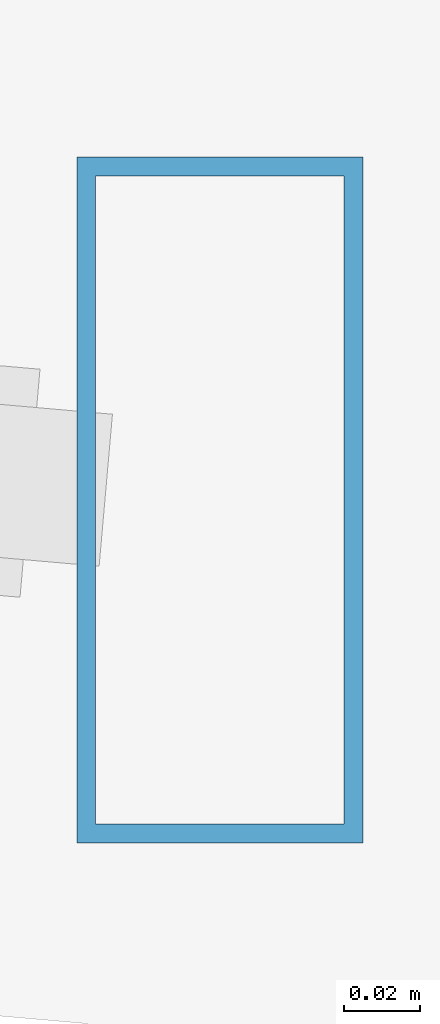
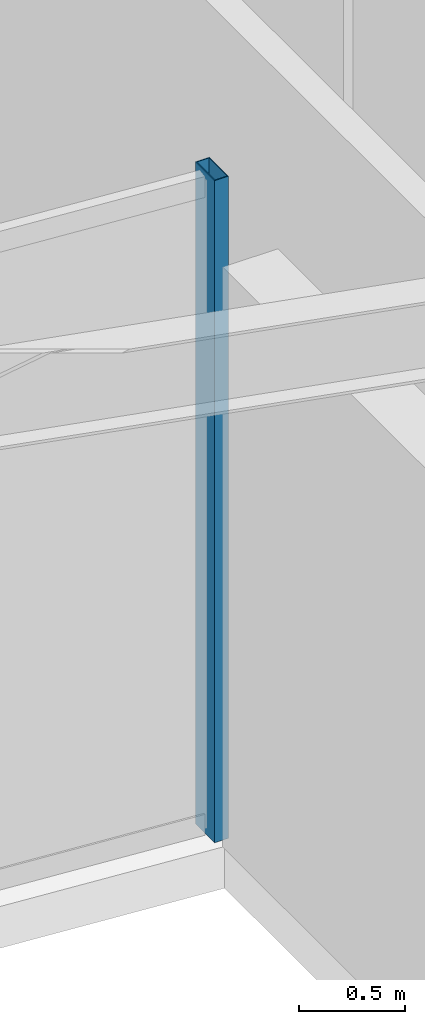
# One storey, part 4 of 25: 1 member, 1 element without a shape of its own.
"""IFC4 building model written with IfcOpenShell, lengths in metres."""

from ifc_helpers import new_model, si_unit, direction, frame, origin, origin_2d, place, context, subcontext, project, spatial, hollow_rectangle, extrude, material, layer, layer_set, material_profile, profile_set, type_object, element, aggregate, save


model = new_model("IFC4")

# Units and contexts
model_context = context("Model", 3, precision=1e-05, world=origin(), true_north=direction((0.0, 1.0)))
body_context = subcontext(model_context, "Body", "Model", "MODEL_VIEW")
ifc_project = project(units=[si_unit("LENGTHUNIT", "METRE"), si_unit("AREAUNIT", "SQUARE_METRE"), si_unit("VOLUMEUNIT", "CUBIC_METRE"), si_unit("PLANEANGLEUNIT", "RADIAN"), si_unit("MASSUNIT", "GRAM", prefix="KILO")], contexts=[model_context])

# Site, building, storey
site_placement = place(None, origin())
site = spatial("IfcSite", under=ifc_project, at=site_placement, CompositionType="ELEMENT")
building_placement = place(site_placement, origin())
building = spatial("IfcBuilding", under=site, at=building_placement, Name="Veymaron Broadcast Tower", CompositionType="ELEMENT")
storey_placement = place(building_placement, frame((0.0, 0.0, 169.5)))
storey = spatial("IfcBuildingStorey", under=building, at=storey_placement, Name="L39", CompositionType="ELEMENT", Elevation=169.5)

# Curtain wall, member
ifc_material_1 = material(Name="Anodised aluminium AA 6063-T6 and laminated low-E dark glass", Category="aluminium")
ifc_layer = layer(ifc_material_1, 0.179931640625)
ifc_layer_set = layer_set([ifc_layer], Name="Anodised aluminium AA 6063-T6 and laminated low-E dark glass")
curtain_wall_type = type_object("IfcCurtainWallType", Name="CW-SYS-03", PredefinedType="NOTDEFINED", material=ifc_layer_set)
curtain_wall_placement = place(storey_placement, origin())
curtain_wall = element("IfcCurtainWall", 1, at=curtain_wall_placement, inside=storey, type_object=curtain_wall_type, Name="L39 dark-glass curtain wall CW-L39-E14-1", PredefinedType="NOTDEFINED")
ifc_material_2 = material(Name="Anodised aluminium AA 6063-T6", Category="aluminium")
ifc_material_profile = material_profile(ifc_material_2, hollow_rectangle(XDim=0.074951171875, YDim=0.179931640625, WallThickness=0.0048828125, at=origin_2d()), Name="AL180X75X5")
ifc_profile_set = profile_set([ifc_material_profile], Name="Anodised aluminium AA 6063-T6")
member_type = type_object("IfcMemberType", Name="CW-MUL-02", PredefinedType="MULLION", material=ifc_profile_set)
member_placement = place(storey_placement, frame((26.420166015625, 18.50048828125, 0.0), z_axis=(0.0, 0.0, 1.0), x_axis=(1.0, 0.0, 0.0)))
member = element("IfcMember", 2, at=member_placement, type_object=member_type, Name="CW-L39-E14-1 mullion 2", PredefinedType="MULLION", context=body_context, shape_type="SweptSolid", body=[
    extrude(hollow_rectangle(XDim=0.074951171875, YDim=0.179931640625, WallThickness=0.0048828125, at=origin_2d()), origin(), (0.0, 0.0, 1.0), 3.81005859375),
])
aggregate(curtain_wall, [member])

save(model, "model.ifc")
